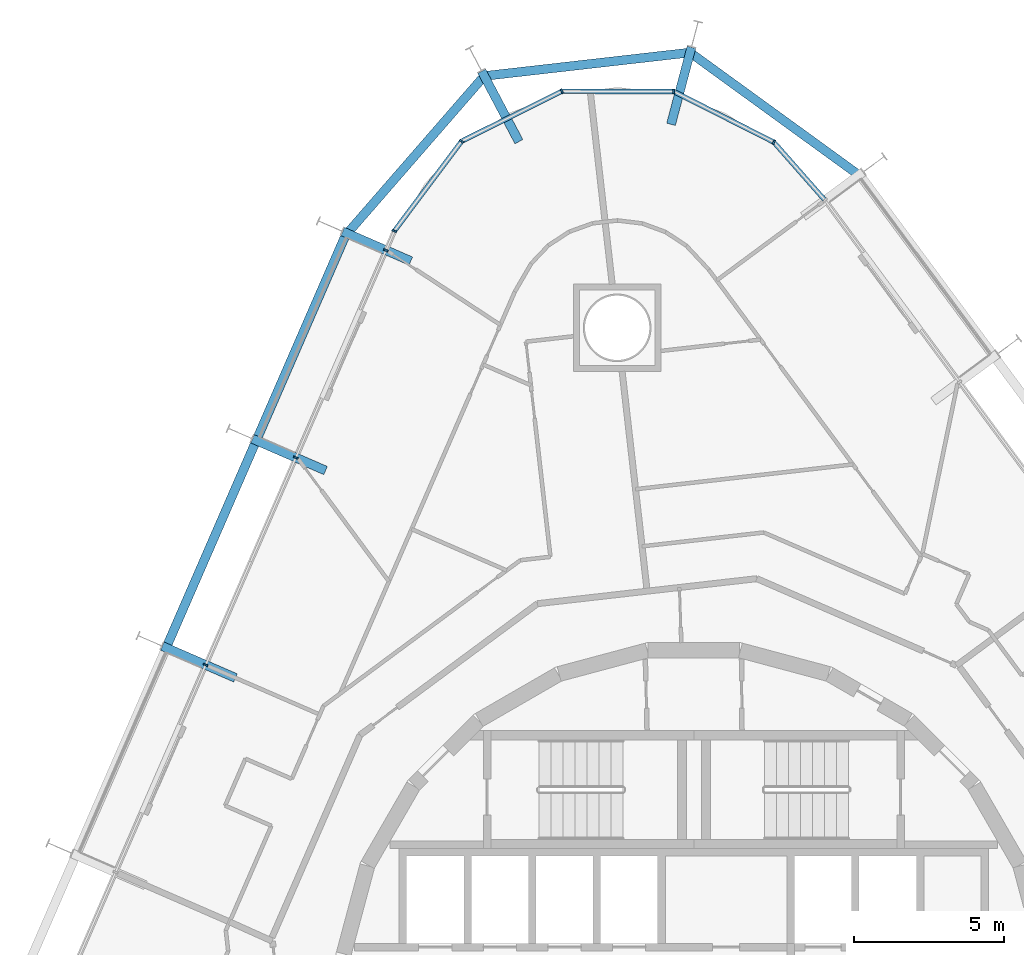
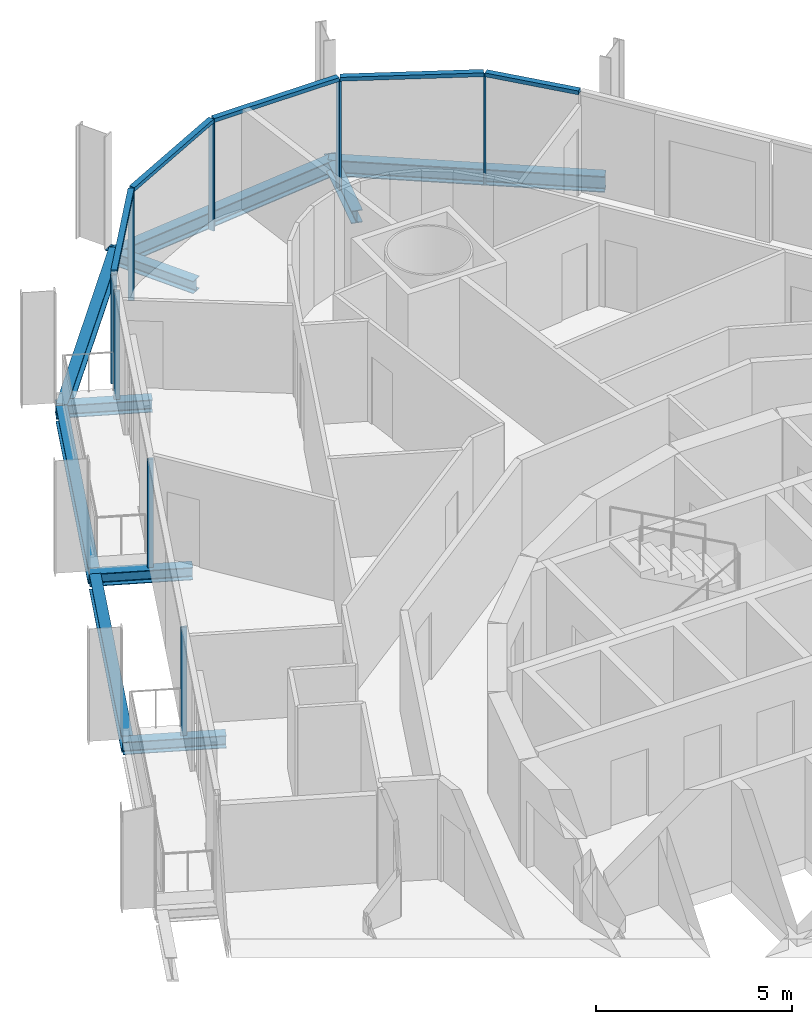
# One storey, part 9 of 22: 13 members, 10 beams, 2 elements without a shape of their own.
"""IFC4 building model written with IfcOpenShell, lengths in metres."""

from ifc_helpers import new_model, si_unit, direction, frame, origin, origin_2d, place, context, subcontext, project, spatial, rectangle, i_section, extrude, material, layer, layer_set, material_profile, profile_set, type_object, element, aggregate, save


model = new_model("IFC4")

# Units and contexts
model_context = context("Model", 3, precision=1e-05, world=origin(), true_north=direction((0.0, 1.0)))
body_context = subcontext(model_context, "Body", "Model", "MODEL_VIEW")
ifc_project = project(units=[si_unit("LENGTHUNIT", "METRE"), si_unit("AREAUNIT", "SQUARE_METRE"), si_unit("VOLUMEUNIT", "CUBIC_METRE"), si_unit("PLANEANGLEUNIT", "RADIAN"), si_unit("MASSUNIT", "GRAM", prefix="KILO")], contexts=[model_context])

# Site, building, storey
site_placement = place(None, origin())
site = spatial("IfcSite", under=ifc_project, at=site_placement, CompositionType="ELEMENT")
building_placement = place(site_placement, origin())
building = spatial("IfcBuilding", under=site, at=building_placement, Name="Spindle Arch Residences", CompositionType="ELEMENT")
storey_placement = place(building_placement, frame((0.0, 0.0, 80.199951171875)))
storey = spatial("IfcBuildingStorey", under=building, at=storey_placement, Name="L18", CompositionType="ELEMENT", Elevation=80.199951171875)

# Curtain wall, members
ifc_material_1 = material(Name="Aluminium bronze unitised frame with tinted glass", Category="aluminium")
ifc_layer_1 = layer(ifc_material_1, 0.159912109375)
ifc_layer_set_1 = layer_set([ifc_layer_1], Name="CW-D corner wall on the fillet arcs")
curtain_wall_type_1 = type_object("IfcCurtainWallType", Name="CW-D corner wall on the fillet arcs", PredefinedType="NOTDEFINED", material=ifc_layer_set_1)
curtain_wall_1_placement = place(storey_placement, origin())
curtain_wall_1 = element("IfcCurtainWall", 1, at=curtain_wall_1_placement, inside=storey, type_object=curtain_wall_type_1, Name="CW-D L18 run 3", PredefinedType="NOTDEFINED")
ifc_material_2 = material(Name="Aluminium bronze anodised mullion", Category="aluminium")
ifc_material_profile_1 = material_profile(ifc_material_2, rectangle(XDim=0.159912109375, YDim=0.06005859375, at=origin_2d()), Name="MU 60x160")
ifc_profile_set_1 = profile_set([ifc_material_profile_1], Name="Aluminium bronze anodised mullion")
member_type_1 = type_object("IfcMemberType", Name="Bronze mullion 60x160", PredefinedType="MULLION", material=ifc_profile_set_1)
member_1_placement = place(storey_placement, frame((2.662841796875, 28.544921875, -0.3798828125), z_axis=(0.0, 0.0, 1.0), x_axis=(-0.451396753797, -0.892323355439, 0.0)))
member_1 = element("IfcMember", 2, at=member_1_placement, type_object=member_type_1, Name="CW-D mullion 01", PredefinedType="MULLION", context=body_context, shape_type="SweptSolid", body=[
    extrude(rectangle(XDim=0.159912109375, YDim=0.06005859375, at=origin_2d()), origin(), (0.0, 0.0, 1.0), 3.3798828125),
])
member_2_placement = place(storey_placement, frame((-0.66259765625, 30.22705078125, -0.3798828125), z_axis=(0.0, 0.0, 1.0), x_axis=(-0.002908881551, -0.999995769195, 0.0)))
member_2 = element("IfcMember", 3, at=member_2_placement, type_object=member_type_1, Name="CW-D mullion 02", PredefinedType="MULLION", context=body_context, shape_type="SweptSolid", body=[
    extrude(rectangle(XDim=0.159912109375, YDim=0.06005859375, at=origin_2d()), origin(), (0.0, 0.0, 1.0), 3.3798828125),
])
member_3_placement = place(storey_placement, frame((-4.38916015625, 30.23779296875, -0.3798828125), z_axis=(0.0, 0.0, 1.0), x_axis=(0.446197812813, -0.89493436175, 0.0)))
member_3 = element("IfcMember", 4, at=member_3_placement, type_object=member_type_1, Name="CW-D mullion 03", PredefinedType="MULLION", context=body_context, shape_type="SweptSolid", body=[
    extrude(rectangle(XDim=0.159912109375, YDim=0.06005859375, at=origin_2d()), origin(), (0.0, 0.0, 1.0), 3.3798828125),
])
member_4_placement = place(storey_placement, frame((-7.724365234375, 28.574951171875, -0.3798828125), z_axis=(0.0, 0.0, 1.0), x_axis=(0.800382739909, -0.599489340736, 0.0)))
member_4 = element("IfcMember", 5, at=member_4_placement, type_object=member_type_1, Name="CW-D mullion 04", PredefinedType="MULLION", context=body_context, shape_type="SweptSolid", body=[
    extrude(rectangle(XDim=0.159912109375, YDim=0.06005859375, at=origin_2d()), origin(), (0.0, 0.0, 1.0), 3.3798828125),
])
member_5_placement = place(storey_placement, frame((-9.958740234375, 25.59228515625, -0.3798828125), z_axis=(0.0, 0.0, 1.0), x_axis=(0.917060074385, -0.398749068925, 0.0)))
member_5 = element("IfcMember", 6, at=member_5_placement, type_object=member_type_1, Name="CW-D mullion 05", PredefinedType="MULLION", context=body_context, shape_type="SweptSolid", body=[
    extrude(rectangle(XDim=0.159912109375, YDim=0.06005859375, at=origin_2d()), origin(), (0.0, 0.0, 1.0), 3.3798828125),
])

ifc_material_3 = material(Name="Aluminium bronze unitised frame with tinted glass", Category="aluminium")
ifc_layer_2 = layer(ifc_material_3, 0.159912109375)
ifc_layer_set_2 = layer_set([ifc_layer_2], Name="CW-C typical residential unitised wall")
curtain_wall_type_2 = type_object("IfcCurtainWallType", Name="CW-C typical residential unitised wall", PredefinedType="NOTDEFINED", material=ifc_layer_set_2)
curtain_wall_2_placement = place(storey_placement, origin())
curtain_wall_2 = element("IfcCurtainWall", 7, at=curtain_wall_2_placement, inside=storey, type_object=curtain_wall_type_2, Name="CW-C L18 run 4", PredefinedType="NOTDEFINED")
member_6_placement = place(storey_placement, frame((-10.23828125, 24.94873046875, -0.3798828125), z_axis=(0.0, 0.0, 1.0), x_axis=(0.917060074385, -0.398749068925, 0.0)))
member_6 = element("IfcMember", 8, at=member_6_placement, type_object=member_type_1, Name="CW-C mullion 13", PredefinedType="MULLION", context=body_context, shape_type="SweptSolid", body=[
    extrude(rectangle(XDim=0.159912109375, YDim=0.06005859375, at=origin_2d()), origin(), (0.0, 0.0, 1.0), 3.3798828125),
])
member_7_placement = place(storey_placement, frame((-13.236572265625, 18.0537109375, -0.3798828125), z_axis=(0.0, 0.0, 1.0), x_axis=(0.917060074385, -0.398749068925, 0.0)))
member_7 = element("IfcMember", 9, at=member_7_placement, type_object=member_type_1, Name="CW-C mullion 14", PredefinedType="MULLION", context=body_context, shape_type="SweptSolid", body=[
    extrude(rectangle(XDim=0.159912109375, YDim=0.06005859375, at=origin_2d()), origin(), (0.0, 0.0, 1.0), 3.3798828125),
])
member_8_placement = place(storey_placement, frame((-16.234619140625, 11.158447265625, -0.3798828125), z_axis=(0.0, 0.0, 1.0), x_axis=(0.917060074385, -0.398749068925, 0.0)))
member_8 = element("IfcMember", 10, at=member_8_placement, type_object=member_type_1, Name="CW-C mullion 15", PredefinedType="MULLION", context=body_context, shape_type="SweptSolid", body=[
    extrude(rectangle(XDim=0.159912109375, YDim=0.06005859375, at=origin_2d()), origin(), (0.0, 0.0, 1.0), 3.3798828125),
])
aggregate(curtain_wall_2, [member_6, member_7, member_8])

# Member
ifc_material_4 = material(Name="Aluminium bronze anodised transom", Category="aluminium")
ifc_material_profile_2 = material_profile(ifc_material_4, rectangle(XDim=0.159912109375, YDim=0.1201171875, at=origin_2d()), Name="TR 120x160")
ifc_profile_set_2 = profile_set([ifc_material_profile_2], Name="Aluminium bronze anodised transom")
member_type_2 = type_object("IfcMemberType", Name="Bronze transom 120x160", PredefinedType="USERDEFINED", material=ifc_profile_set_2)
member_9_placement = place(storey_placement, frame((4.34375, 26.635009765625, 3.06005859375), z_axis=(-0.660660732339, 0.750684618695, 0.0), x_axis=(-0.750684618695, -0.660660732339, 0.0)))
member_9 = element("IfcMember", 11, at=member_9_placement, type_object=member_type_2, Name="CW-D transom 00", ObjectType="TRANSOM", PredefinedType="USERDEFINED", context=body_context, shape_type="SweptSolid", body=[
    extrude(rectangle(XDim=0.159912109375, YDim=0.1201171875, at=origin_2d()), origin(), (0.0, 0.0, 1.0), 2.513916015625),
])

member_10_placement = place(storey_placement, frame((2.63623046875, 28.558349609375, 3.06005859375), z_axis=(-0.892313345479, 0.45141654099, 0.0), x_axis=(-0.45141654099, -0.892313345479, 0.0)))
member_10 = element("IfcMember", 12, at=member_10_placement, type_object=member_type_2, Name="CW-D transom 01", ObjectType="TRANSOM", PredefinedType="USERDEFINED", context=body_context, shape_type="SweptSolid", body=[
    extrude(rectangle(XDim=0.159912109375, YDim=0.1201171875, at=origin_2d()), origin(), (0.0, 0.0, 1.0), 3.666748046875),
])

member_11_placement = place(storey_placement, frame((-0.692626953125, 30.22705078125, 3.06005859375), z_axis=(-0.999995708684, 0.002929609906, 0.0), x_axis=(-0.002929609906, -0.999995708684, 0.0)))
member_11 = element("IfcMember", 13, at=member_11_placement, type_object=member_type_2, Name="CW-D transom 02", ObjectType="TRANSOM", PredefinedType="USERDEFINED", context=body_context, shape_type="SweptSolid", body=[
    extrude(rectangle(XDim=0.159912109375, YDim=0.1201171875, at=origin_2d()), origin(), (0.0, 0.0, 1.0), 3.666748046875),
])

member_12_placement = place(storey_placement, frame((-4.416015625, 30.224609375, 3.06005859375), z_axis=(-0.894919349856, -0.446227920745, 0.0), x_axis=(0.446227920745, -0.894919349856, 0.0)))
member_12 = element("IfcMember", 14, at=member_12_placement, type_object=member_type_2, Name="CW-D transom 03", ObjectType="TRANSOM", PredefinedType="USERDEFINED", context=body_context, shape_type="SweptSolid", body=[
    extrude(rectangle(XDim=0.159912109375, YDim=0.1201171875, at=origin_2d()), origin(), (0.0, 0.0, 1.0), 3.666748046875),
])

member_13_placement = place(storey_placement, frame((-7.742431640625, 28.551025390625, 3.06005859375), z_axis=(-0.599499190139, -0.800375362579, 0.0), x_axis=(0.800375362579, -0.599499190139, 0.0)))
member_13 = element("IfcMember", 15, at=member_13_placement, type_object=member_type_2, Name="CW-D transom 04", ObjectType="TRANSOM", PredefinedType="USERDEFINED", context=body_context, shape_type="SweptSolid", body=[
    extrude(rectangle(XDim=0.159912109375, YDim=0.1201171875, at=origin_2d()), origin(), (0.0, 0.0, 1.0), 3.666748046875),
])

aggregate(curtain_wall_1, [member_9, member_1, member_10, member_2, member_11, member_3, member_12, member_4, member_13, member_5])

# Beams
ifc_material_5 = material(Name="Steel S460ML, intumescent coating R 120", Category="steel")
ifc_material_profile_3 = material_profile(ifc_material_5, i_section(OverallWidth=0.300048828125, OverallDepth=0.5, WebThickness=0.014404296875, FlangeThickness=0.028076171875, FilletRadius=0.027099609375, at=origin_2d()), Name="HEB 500")
ifc_profile_set_3 = profile_set([ifc_material_profile_3], Name="Steel S460ML, intumescent coating R 120")
beam_type_1 = type_object("IfcBeamType", Name="Exoskeleton edge beam HEB 500", PredefinedType="BEAM", material=ifc_profile_set_3)
beam_1_placement = place(storey_placement, frame((5.552734375, 27.40478515625, -0.6298828125), z_axis=(-0.809296745618, 0.587400014923, 0.0), x_axis=(-0.587400014923, -0.809296745618, 0.0)))
element("IfcBeam", 16, at=beam_1_placement, inside=storey, type_object=beam_type_1, Name="Exoskeleton edge beam 11", PredefinedType="BEAM", context=body_context, shape_type="SweptSolid", body=[
    extrude(i_section(OverallWidth=0.300048828125, OverallDepth=0.5, WebThickness=0.014404296875, FlangeThickness=0.028076171875, FilletRadius=0.027099609375, at=origin_2d()), origin(), (0.0, 0.0, 1.0), 7.094482421875),
])
beam_2_placement = place(storey_placement, frame((-0.02685546875, 31.5361328125, -0.6298828125), z_axis=(-0.993571479585, -0.11320651463, 0.0), x_axis=(0.11320651463, -0.993571479585, 0.0)))
element("IfcBeam", 17, at=beam_2_placement, inside=storey, type_object=beam_type_1, Name="Exoskeleton edge beam 12", PredefinedType="BEAM", context=body_context, shape_type="SweptSolid", body=[
    extrude(i_section(OverallWidth=0.300048828125, OverallDepth=0.5, WebThickness=0.014404296875, FlangeThickness=0.028076171875, FilletRadius=0.027099609375, at=origin_2d()), origin(), (0.0, 0.0, 1.0), 7.086669921875),
])
beam_3_placement = place(storey_placement, frame((-6.918212890625, 30.80517578125, -0.6298828125), z_axis=(-0.656418952224, -0.754396552989, 0.0), x_axis=(0.754396552989, -0.656418952224, 0.0)))
element("IfcBeam", 18, at=beam_3_placement, inside=storey, type_object=beam_type_1, Name="Exoskeleton edge beam 13", PredefinedType="BEAM", context=body_context, shape_type="SweptSolid", body=[
    extrude(i_section(OverallWidth=0.300048828125, OverallDepth=0.5, WebThickness=0.014404296875, FlangeThickness=0.028076171875, FilletRadius=0.027099609375, at=origin_2d()), origin(), (0.0, 0.0, 1.0), 7.09423828125),
])
beam_4_placement = place(storey_placement, frame((-11.604248046875, 25.40087890625, -0.6298828125), z_axis=(-0.398772846535, -0.91704973522, 0.0), x_axis=(0.91704973522, -0.398772846535, 0.0)))
element("IfcBeam", 19, at=beam_4_placement, inside=storey, type_object=beam_type_1, Name="Exoskeleton edge beam 14", PredefinedType="BEAM", context=body_context, shape_type="SweptSolid", body=[
    extrude(i_section(OverallWidth=0.300048828125, OverallDepth=0.5, WebThickness=0.014404296875, FlangeThickness=0.028076171875, FilletRadius=0.027099609375, at=origin_2d()), origin(), (0.0, 0.0, 1.0), 7.258544921875),
])
beam_5_placement = place(storey_placement, frame((-14.602294921875, 18.505859375, -0.6298828125), z_axis=(-0.398760546857, -0.917055083553, 0.0), x_axis=(0.917055083553, -0.398760546857, 0.0)))
element("IfcBeam", 20, at=beam_5_placement, inside=storey, type_object=beam_type_1, Name="Exoskeleton edge beam 15", PredefinedType="BEAM", context=body_context, shape_type="SweptSolid", body=[
    extrude(i_section(OverallWidth=0.300048828125, OverallDepth=0.5, WebThickness=0.014404296875, FlangeThickness=0.028076171875, FilletRadius=0.027099609375, at=origin_2d()), origin(), (0.0, 0.0, 1.0), 7.2587890625),
])
ifc_material_6 = material(Name="Steel S460ML, intumescent coating R 120", Category="steel")
ifc_material_profile_4 = material_profile(ifc_material_6, i_section(OverallWidth=0.300048828125, OverallDepth=0.389892578125, WebThickness=0.010986328125, FlangeThickness=0.01904296875, FilletRadius=0.027099609375, at=origin_2d()), Name="HEA 400")
ifc_profile_set_4 = profile_set([ifc_material_profile_4], Name="Steel S460ML, intumescent coating R 120")
beam_type_2 = type_object("IfcBeamType", Name="Floor outrigger HEA 400", PredefinedType="BEAM", material=ifc_profile_set_4)
beam_6_placement = place(storey_placement, frame((-0.079345703125, 31.698974609375, -0.574951171875), z_axis=(-0.255930543214, -0.966695172767, 0.0), x_axis=(0.966695172767, -0.255930543214, 0.0)))
element("IfcBeam", 21, at=beam_6_placement, inside=storey, type_object=beam_type_2, Name="Floor outrigger 12", PredefinedType="BEAM", context=body_context, shape_type="SweptSolid", body=[
    extrude(i_section(OverallWidth=0.300048828125, OverallDepth=0.389892578125, WebThickness=0.010986328125, FlangeThickness=0.01904296875, FilletRadius=0.027099609375, at=origin_2d()), origin(), (0.0, 0.0, 1.0), 2.650146484375),
])
beam_7_placement = place(storey_placement, frame((-7.05322265625, 30.904296875, -0.574951171875), z_axis=(0.466748611055, -0.88439003504, 0.0), x_axis=(0.88439003504, 0.466748611055, 0.0)))
element("IfcBeam", 22, at=beam_7_placement, inside=storey, type_object=beam_type_2, Name="Floor outrigger 13", PredefinedType="BEAM", context=body_context, shape_type="SweptSolid", body=[
    extrude(i_section(OverallWidth=0.300048828125, OverallDepth=0.389892578125, WebThickness=0.010986328125, FlangeThickness=0.01904296875, FilletRadius=0.027099609375, at=origin_2d()), origin(), (0.0, 0.0, 1.0), 2.64990234375),
])
beam_8_placement = place(storey_placement, frame((-11.677978515625, 25.574951171875, -0.574951171875), z_axis=(0.917041778062, -0.398791144948, 0.0), x_axis=(0.398791144948, 0.917041778062, 0.0)))
element("IfcBeam", 23, at=beam_8_placement, inside=storey, type_object=beam_type_2, Name="Floor outrigger 14", PredefinedType="BEAM", context=body_context, shape_type="SweptSolid", body=[
    extrude(i_section(OverallWidth=0.300048828125, OverallDepth=0.389892578125, WebThickness=0.010986328125, FlangeThickness=0.01904296875, FilletRadius=0.027099609375, at=origin_2d()), origin(), (0.0, 0.0, 1.0), 2.470947265625),
])
for number, where, z_axis, x_axis, name in (
    (24, (-14.67626953125, 18.6796875, -0.574951171875), (0.917064197317, -0.398739586698, 0.0), (0.398739586698, 0.917064197317, 0.0), "Floor outrigger 15"),
    (25, (-17.67431640625, 11.784423828125, -0.574951171875), (0.917064197317, -0.398739586698, 0.0), (0.398739586698, 0.917064197317, 0.0), "Floor outrigger 16"),
):
    element("IfcBeam", number, at=place(storey_placement, frame(where, z_axis=z_axis, x_axis=x_axis)), inside=storey, type_object=beam_type_2, Name=name, PredefinedType="BEAM", context=body_context, shape_type="SweptSolid", body=[
        extrude(i_section(OverallWidth=0.300048828125, OverallDepth=0.389892578125, WebThickness=0.010986328125, FlangeThickness=0.01904296875, FilletRadius=0.027099609375, at=origin_2d()), origin(), (0.0, 0.0, 1.0), 2.64990234375),
    ])

save(model, "model.ifc")
